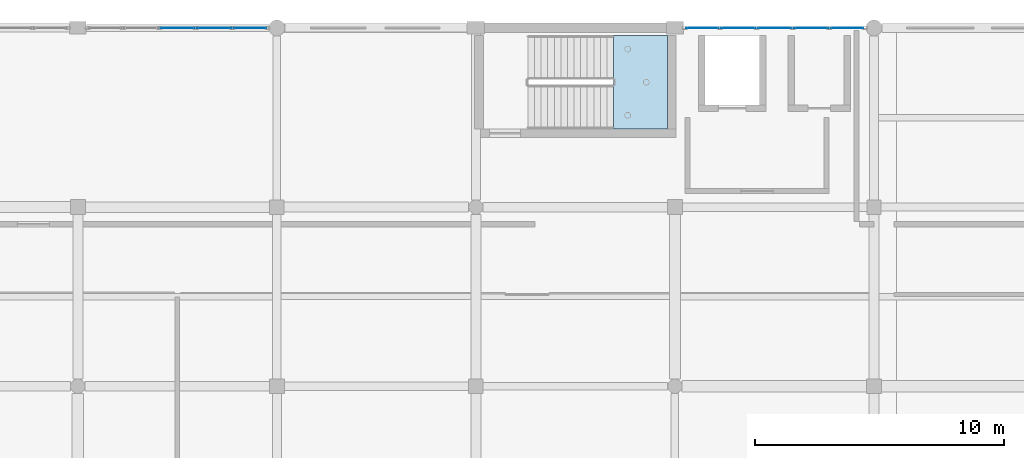
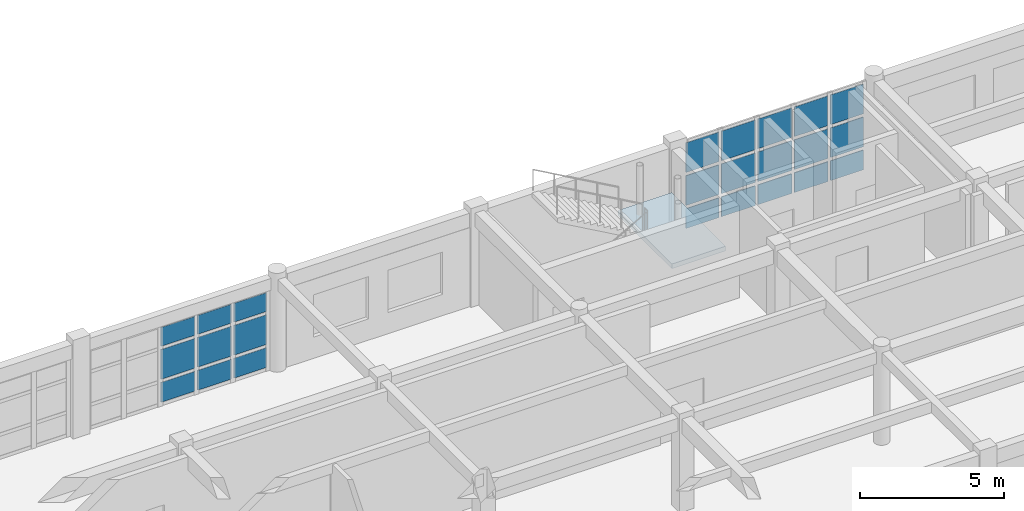
# One storey, part 96 of 121: 24 plates, 1 slab, 3 elements without a shape of their own.
"""IFC4 building model written with IfcOpenShell, lengths in metres."""

from ifc_helpers import new_model, si_unit, direction, frame, origin, origin_2d, place, context, subcontext, project, spatial, polyline, rectangle, outline, extrude, material, layer, layer_set, type_object, element, aggregate, save


model = new_model("IFC4")

# Units and contexts
model_context = context("Model", 3, precision=1e-05, world=origin(), true_north=direction((0.0, 1.0)))
body_context = subcontext(model_context, "Body", "Model", "MODEL_VIEW")
ifc_project = project(units=[si_unit("LENGTHUNIT", "METRE"), si_unit("AREAUNIT", "SQUARE_METRE"), si_unit("VOLUMEUNIT", "CUBIC_METRE"), si_unit("PLANEANGLEUNIT", "RADIAN"), si_unit("MASSUNIT", "GRAM", prefix="KILO")], contexts=[model_context])

# Site, building, storey
site_placement = place(None, origin())
site = spatial("IfcSite", under=ifc_project, at=site_placement, CompositionType="ELEMENT")
building_placement = place(site_placement, origin())
building = spatial("IfcBuilding", under=site, at=building_placement, Name="Kharva Crest Polytechnic", CompositionType="ELEMENT")
storey_placement = place(building_placement, frame((0.0, 0.0, 13.199951171875)))
storey = spatial("IfcBuildingStorey", under=building, at=storey_placement, Name="L03", CompositionType="ELEMENT", Elevation=13.199951171875)

# Curtain wall, plates
ifc_material_1 = material(Name="Tempered insulated glass", Category="glass")
curtain_wall_type = type_object("IfcCurtainWallType", Name="CW-SYS-LIBRARY", PredefinedType="USERDEFINED", material=ifc_material_1)
curtain_wall_1_placement = place(storey_placement, origin())
curtain_wall_1 = element("IfcCurtainWall", 1, at=curtain_wall_1_placement, inside=storey, type_object=curtain_wall_type, Name="L03 Glazed Curtain Wall CW-159", ObjectType="CURTAIN WALL", PredefinedType="USERDEFINED")
ifc_layer_1 = layer(ifc_material_1, 0.031982421875, Name="Tempered insulated glass")
ifc_layer_set_1 = layer_set([ifc_layer_1], Name="Tempered insulated glass")
plate_type = type_object("IfcPlateType", Name="CWP-GLZ-32", PredefinedType="CURTAIN_PANEL", material=ifc_layer_set_1)
plate_1_placement = place(storey_placement, frame((118.9169921875, 122.0, 0.14013671875), z_axis=(0.0, 0.0, 1.0), x_axis=(-1.0, 0.0, 0.0)))
plate_1 = element("IfcPlate", 2, at=plate_1_placement, type_object=plate_type, Name="CW-159 panel 1.1", PredefinedType="CURTAIN_PANEL", context=body_context, shape_type="SweptSolid", body=[
    extrude(rectangle(XDim=1.31591796875, YDim=0.031982421875, at=origin_2d()), origin(), (0.0, 0.0, 1.0), 0.840087890625),
])
plate_2_placement = place(storey_placement, frame((118.9169921875, 122.0, 1.1201171875), z_axis=(0.0, 0.0, 1.0), x_axis=(-1.0, 0.0, 0.0)))
plate_2 = element("IfcPlate", 3, at=plate_2_placement, type_object=plate_type, Name="CW-159 panel 1.2", PredefinedType="CURTAIN_PANEL", context=body_context, shape_type="SweptSolid", body=[
    extrude(rectangle(XDim=1.31591796875, YDim=0.031982421875, at=origin_2d()), origin(), (0.0, 0.0, 1.0), 1.260009765625),
])
plate_3_placement = place(storey_placement, frame((118.9169921875, 122.0, 2.52001953125), z_axis=(0.0, 0.0, 1.0), x_axis=(-1.0, 0.0, 0.0)))
plate_3 = element("IfcPlate", 4, at=plate_3_placement, type_object=plate_type, Name="CW-159 panel 1.3", PredefinedType="CURTAIN_PANEL", context=body_context, shape_type="SweptSolid", body=[
    extrude(rectangle(XDim=1.31591796875, YDim=0.031982421875, at=origin_2d()), origin(), (0.0, 0.0, 1.0), 1.260009765625),
])
plate_4_placement = place(storey_placement, frame((117.47607421875, 122.0, 0.14013671875), z_axis=(0.0, 0.0, 1.0), x_axis=(-1.0, 0.0, 0.0)))
plate_4 = element("IfcPlate", 5, at=plate_4_placement, type_object=plate_type, Name="CW-159 panel 2.1", PredefinedType="CURTAIN_PANEL", context=body_context, shape_type="SweptSolid", body=[
    extrude(rectangle(XDim=1.365966796875, YDim=0.031982421875, at=origin_2d()), origin(), (0.0, 0.0, 1.0), 0.840087890625),
])
plate_5_placement = place(storey_placement, frame((117.47607421875, 122.0, 1.1201171875), z_axis=(0.0, 0.0, 1.0), x_axis=(-1.0, 0.0, 0.0)))
plate_5 = element("IfcPlate", 6, at=plate_5_placement, type_object=plate_type, Name="CW-159 panel 2.2", PredefinedType="CURTAIN_PANEL", context=body_context, shape_type="SweptSolid", body=[
    extrude(rectangle(XDim=1.365966796875, YDim=0.031982421875, at=origin_2d()), origin(), (0.0, 0.0, 1.0), 1.260009765625),
])
plate_6_placement = place(storey_placement, frame((117.47607421875, 122.0, 2.52001953125), z_axis=(0.0, 0.0, 1.0), x_axis=(-1.0, 0.0, 0.0)))
plate_6 = element("IfcPlate", 7, at=plate_6_placement, type_object=plate_type, Name="CW-159 panel 2.3", PredefinedType="CURTAIN_PANEL", context=body_context, shape_type="SweptSolid", body=[
    extrude(rectangle(XDim=1.365966796875, YDim=0.031982421875, at=origin_2d()), origin(), (0.0, 0.0, 1.0), 1.260009765625),
])
plate_7_placement = place(storey_placement, frame((116.010009765625, 122.0, 0.14013671875), z_axis=(0.0, 0.0, 1.0), x_axis=(-1.0, 0.0, 0.0)))
plate_7 = element("IfcPlate", 8, at=plate_7_placement, type_object=plate_type, Name="CW-159 panel 3.1", PredefinedType="CURTAIN_PANEL", context=body_context, shape_type="SweptSolid", body=[
    extrude(rectangle(XDim=1.365966796875, YDim=0.031982421875, at=origin_2d()), origin(), (0.0, 0.0, 1.0), 0.840087890625),
])
plate_8_placement = place(storey_placement, frame((116.010009765625, 122.0, 1.1201171875), z_axis=(0.0, 0.0, 1.0), x_axis=(-1.0, 0.0, 0.0)))
plate_8 = element("IfcPlate", 9, at=plate_8_placement, type_object=plate_type, Name="CW-159 panel 3.2", PredefinedType="CURTAIN_PANEL", context=body_context, shape_type="SweptSolid", body=[
    extrude(rectangle(XDim=1.365966796875, YDim=0.031982421875, at=origin_2d()), origin(), (0.0, 0.0, 1.0), 1.260009765625),
])
plate_9_placement = place(storey_placement, frame((116.010009765625, 122.0, 2.52001953125), z_axis=(0.0, 0.0, 1.0), x_axis=(-1.0, 0.0, 0.0)))
plate_9 = element("IfcPlate", 10, at=plate_9_placement, type_object=plate_type, Name="CW-159 panel 3.3", PredefinedType="CURTAIN_PANEL", context=body_context, shape_type="SweptSolid", body=[
    extrude(rectangle(XDim=1.365966796875, YDim=0.031982421875, at=origin_2d()), origin(), (0.0, 0.0, 1.0), 1.260009765625),
])
plate_10_placement = place(storey_placement, frame((114.5439453125, 122.0, 0.14013671875), z_axis=(0.0, 0.0, 1.0), x_axis=(-1.0, 0.0, 0.0)))
plate_10 = element("IfcPlate", 11, at=plate_10_placement, type_object=plate_type, Name="CW-159 panel 4.1", PredefinedType="CURTAIN_PANEL", context=body_context, shape_type="SweptSolid", body=[
    extrude(rectangle(XDim=1.365966796875, YDim=0.031982421875, at=origin_2d()), origin(), (0.0, 0.0, 1.0), 0.840087890625),
])
plate_11_placement = place(storey_placement, frame((114.5439453125, 122.0, 1.1201171875), z_axis=(0.0, 0.0, 1.0), x_axis=(-1.0, 0.0, 0.0)))
plate_11 = element("IfcPlate", 12, at=plate_11_placement, type_object=plate_type, Name="CW-159 panel 4.2", PredefinedType="CURTAIN_PANEL", context=body_context, shape_type="SweptSolid", body=[
    extrude(rectangle(XDim=1.365966796875, YDim=0.031982421875, at=origin_2d()), origin(), (0.0, 0.0, 1.0), 1.260009765625),
])
plate_12_placement = place(storey_placement, frame((114.5439453125, 122.0, 2.52001953125), z_axis=(0.0, 0.0, 1.0), x_axis=(-1.0, 0.0, 0.0)))
plate_12 = element("IfcPlate", 13, at=plate_12_placement, type_object=plate_type, Name="CW-159 panel 4.3", PredefinedType="CURTAIN_PANEL", context=body_context, shape_type="SweptSolid", body=[
    extrude(rectangle(XDim=1.365966796875, YDim=0.031982421875, at=origin_2d()), origin(), (0.0, 0.0, 1.0), 1.260009765625),
])
plate_13_placement = place(storey_placement, frame((113.10302734375, 122.0, 0.14013671875), z_axis=(0.0, 0.0, 1.0), x_axis=(-1.0, 0.0, 0.0)))
plate_13 = element("IfcPlate", 14, at=plate_13_placement, type_object=plate_type, Name="CW-159 panel 5.1", PredefinedType="CURTAIN_PANEL", context=body_context, shape_type="SweptSolid", body=[
    extrude(rectangle(XDim=1.31591796875, YDim=0.031982421875, at=origin_2d()), origin(), (0.0, 0.0, 1.0), 0.840087890625),
])
plate_14_placement = place(storey_placement, frame((113.10302734375, 122.0, 1.1201171875), z_axis=(0.0, 0.0, 1.0), x_axis=(-1.0, 0.0, 0.0)))
plate_14 = element("IfcPlate", 15, at=plate_14_placement, type_object=plate_type, Name="CW-159 panel 5.2", PredefinedType="CURTAIN_PANEL", context=body_context, shape_type="SweptSolid", body=[
    extrude(rectangle(XDim=1.31591796875, YDim=0.031982421875, at=origin_2d()), origin(), (0.0, 0.0, 1.0), 1.260009765625),
])
plate_15_placement = place(storey_placement, frame((113.10302734375, 122.0, 2.52001953125), z_axis=(0.0, 0.0, 1.0), x_axis=(-1.0, 0.0, 0.0)))
plate_15 = element("IfcPlate", 16, at=plate_15_placement, type_object=plate_type, Name="CW-159 panel 5.3", PredefinedType="CURTAIN_PANEL", context=body_context, shape_type="SweptSolid", body=[
    extrude(rectangle(XDim=1.31591796875, YDim=0.031982421875, at=origin_2d()), origin(), (0.0, 0.0, 1.0), 1.260009765625),
])
aggregate(curtain_wall_1, [plate_1, plate_2, plate_3, plate_4, plate_5, plate_6, plate_7, plate_8, plate_9, plate_10, plate_11, plate_12, plate_13, plate_14, plate_15])

curtain_wall_2_placement = place(storey_placement, origin())
curtain_wall_2 = element("IfcCurtainWall", 17, at=curtain_wall_2_placement, inside=storey, type_object=curtain_wall_type, Name="L03 Glazed Curtain Wall CW-160", ObjectType="CURTAIN WALL", PredefinedType="USERDEFINED")
plate_16_placement = place(storey_placement, frame((94.9169921875, 122.0, 0.14013671875), z_axis=(0.0, 0.0, 1.0), x_axis=(-1.0, 0.0, 0.0)))
plate_16 = element("IfcPlate", 18, at=plate_16_placement, type_object=plate_type, Name="CW-160 panel 1.1", PredefinedType="CURTAIN_PANEL", context=body_context, shape_type="SweptSolid", body=[
    extrude(rectangle(XDim=1.31591796875, YDim=0.031982421875, at=origin_2d()), origin(), (0.0, 0.0, 1.0), 0.840087890625),
])
plate_17_placement = place(storey_placement, frame((94.9169921875, 122.0, 1.1201171875), z_axis=(0.0, 0.0, 1.0), x_axis=(-1.0, 0.0, 0.0)))
plate_17 = element("IfcPlate", 19, at=plate_17_placement, type_object=plate_type, Name="CW-160 panel 1.2", PredefinedType="CURTAIN_PANEL", context=body_context, shape_type="SweptSolid", body=[
    extrude(rectangle(XDim=1.31591796875, YDim=0.031982421875, at=origin_2d()), origin(), (0.0, 0.0, 1.0), 1.260009765625),
])
plate_18_placement = place(storey_placement, frame((94.9169921875, 122.0, 2.52001953125), z_axis=(0.0, 0.0, 1.0), x_axis=(-1.0, 0.0, 0.0)))
plate_18 = element("IfcPlate", 20, at=plate_18_placement, type_object=plate_type, Name="CW-160 panel 1.3", PredefinedType="CURTAIN_PANEL", context=body_context, shape_type="SweptSolid", body=[
    extrude(rectangle(XDim=1.31591796875, YDim=0.031982421875, at=origin_2d()), origin(), (0.0, 0.0, 1.0), 0.800048828125),
])
plate_19_placement = place(storey_placement, frame((93.47607421875, 122.0, 0.14013671875), z_axis=(0.0, 0.0, 1.0), x_axis=(-1.0, 0.0, 0.0)))
plate_19 = element("IfcPlate", 21, at=plate_19_placement, type_object=plate_type, Name="CW-160 panel 2.1", PredefinedType="CURTAIN_PANEL", context=body_context, shape_type="SweptSolid", body=[
    extrude(rectangle(XDim=1.365966796875, YDim=0.031982421875, at=origin_2d()), origin(), (0.0, 0.0, 1.0), 0.840087890625),
])
plate_20_placement = place(storey_placement, frame((93.47607421875, 122.0, 1.1201171875), z_axis=(0.0, 0.0, 1.0), x_axis=(-1.0, 0.0, 0.0)))
plate_20 = element("IfcPlate", 22, at=plate_20_placement, type_object=plate_type, Name="CW-160 panel 2.2", PredefinedType="CURTAIN_PANEL", context=body_context, shape_type="SweptSolid", body=[
    extrude(rectangle(XDim=1.365966796875, YDim=0.031982421875, at=origin_2d()), origin(), (0.0, 0.0, 1.0), 1.260009765625),
])
plate_21_placement = place(storey_placement, frame((93.47607421875, 122.0, 2.52001953125), z_axis=(0.0, 0.0, 1.0), x_axis=(-1.0, 0.0, 0.0)))
plate_21 = element("IfcPlate", 23, at=plate_21_placement, type_object=plate_type, Name="CW-160 panel 2.3", PredefinedType="CURTAIN_PANEL", context=body_context, shape_type="SweptSolid", body=[
    extrude(rectangle(XDim=1.365966796875, YDim=0.031982421875, at=origin_2d()), origin(), (0.0, 0.0, 1.0), 0.800048828125),
])
plate_22_placement = place(storey_placement, frame((92.010009765625, 122.0, 0.14013671875), z_axis=(0.0, 0.0, 1.0), x_axis=(-1.0, 0.0, 0.0)))
plate_22 = element("IfcPlate", 24, at=plate_22_placement, type_object=plate_type, Name="CW-160 panel 3.1", PredefinedType="CURTAIN_PANEL", context=body_context, shape_type="SweptSolid", body=[
    extrude(rectangle(XDim=1.365966796875, YDim=0.031982421875, at=origin_2d()), origin(), (0.0, 0.0, 1.0), 0.840087890625),
])
plate_23_placement = place(storey_placement, frame((92.010009765625, 122.0, 1.1201171875), z_axis=(0.0, 0.0, 1.0), x_axis=(-1.0, 0.0, 0.0)))
plate_23 = element("IfcPlate", 25, at=plate_23_placement, type_object=plate_type, Name="CW-160 panel 3.2", PredefinedType="CURTAIN_PANEL", context=body_context, shape_type="SweptSolid", body=[
    extrude(rectangle(XDim=1.365966796875, YDim=0.031982421875, at=origin_2d()), origin(), (0.0, 0.0, 1.0), 1.260009765625),
])
plate_24_placement = place(storey_placement, frame((92.010009765625, 122.0, 2.52001953125), z_axis=(0.0, 0.0, 1.0), x_axis=(-1.0, 0.0, 0.0)))
plate_24 = element("IfcPlate", 26, at=plate_24_placement, type_object=plate_type, Name="CW-160 panel 3.3", PredefinedType="CURTAIN_PANEL", context=body_context, shape_type="SweptSolid", body=[
    extrude(rectangle(XDim=1.365966796875, YDim=0.031982421875, at=origin_2d()), origin(), (0.0, 0.0, 1.0), 0.800048828125),
])
aggregate(curtain_wall_2, [plate_16, plate_17, plate_18, plate_19, plate_20, plate_21, plate_22, plate_23, plate_24])

# Stair, slab
ifc_material_2 = material(Name="Concrete C35/45", Category="concrete")
stair_type = type_object("IfcStairType", Name="STR-DOGLEG-1780", PredefinedType="TWO_STRAIGHT_RUN_STAIR", material=ifc_material_2)
stair_placement = place(storey_placement, origin())
stair = element("IfcStair", 27, at=stair_placement, inside=storey, type_object=stair_type, Name="L03 North Crest Firefighting Core C4", PredefinedType="TWO_STRAIGHT_RUN_STAIR")
ifc_layer_2 = layer(ifc_material_2, 0.199951171875, Name="Concrete C35/45")
ifc_layer_set_2 = layer_set([ifc_layer_2], Name="Concrete C35/45")
slab_type = type_object("IfcSlabType", Name="SLB-LAND-200", PredefinedType="LANDING", material=ifc_layer_set_2)
slab_placement = place(storey_placement, frame((0.0, 0.0, 1.900146484375)))
slab = element("IfcSlab", 28, at=slab_placement, type_object=slab_type, Name="ST-04 landing 1", PredefinedType="LANDING", context=body_context, shape_type="SweptSolid", body=[
    extrude(outline(polyline([(109.534912109375, 117.93994140625), (111.699951171875, 117.93994140625), (111.699951171875, 121.699951171875), (109.534912109375, 121.699951171875), (109.534912109375, 117.93994140625)])), origin(), (0.0, 0.0, 1.0), 0.199951171875),
])
aggregate(stair, [slab])

save(model, "model.ifc")
